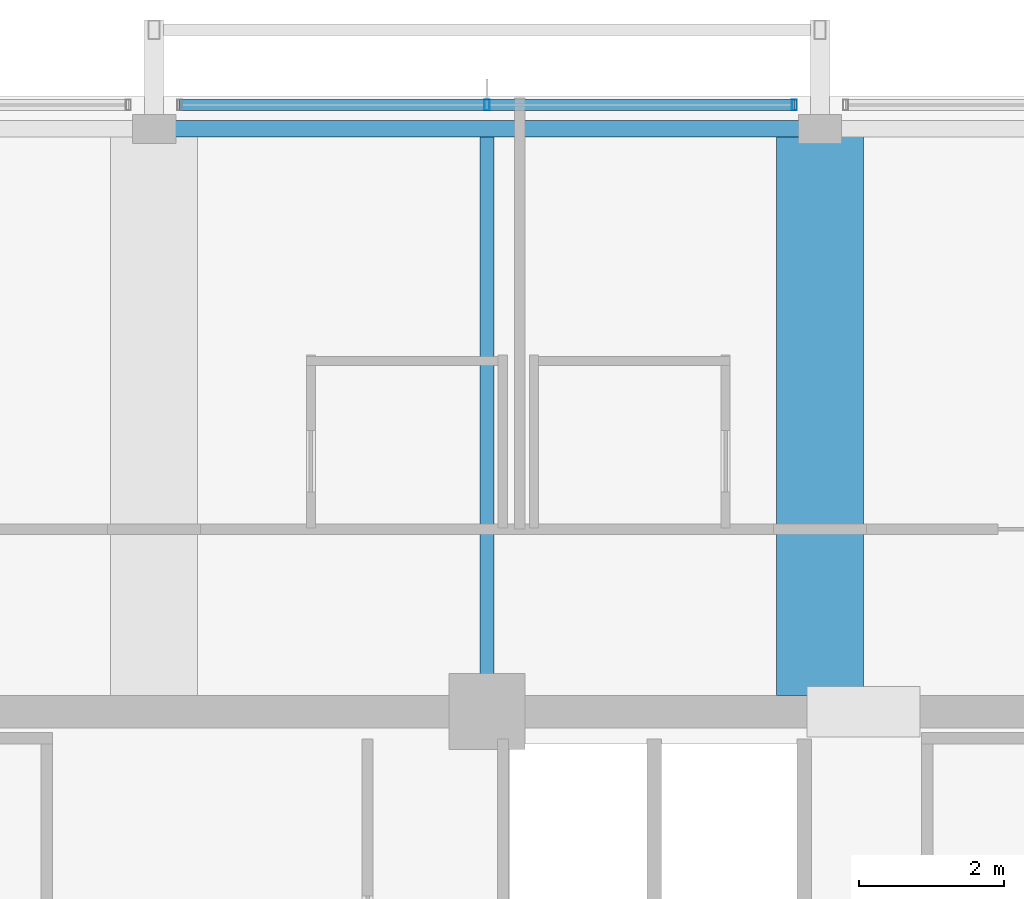
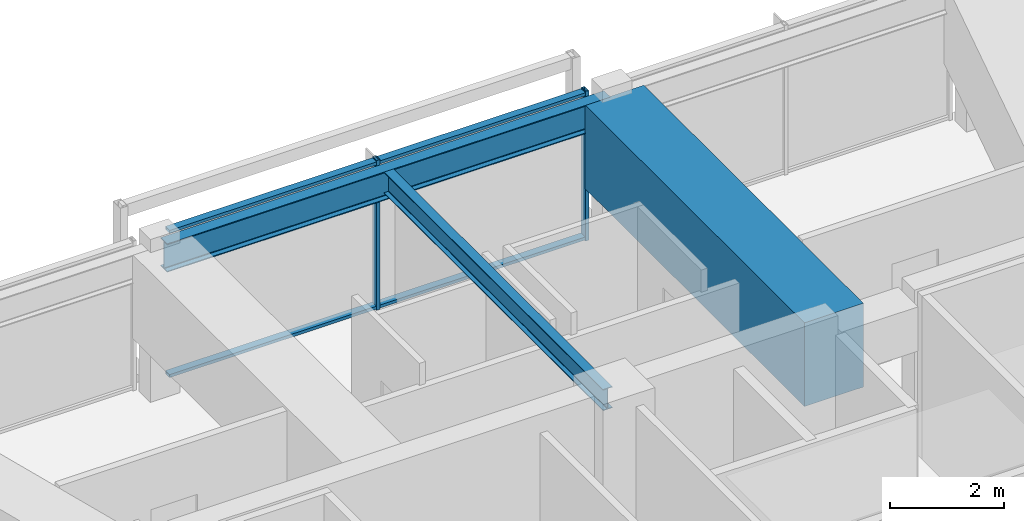
# One storey, part 16 of 30: 4 members, 3 beams, 1 element without a shape of its own.
"""IFC4 building model written with IfcOpenShell, lengths in metres."""

from ifc_helpers import new_model, si_unit, direction, frame, origin, origin_2d, place, context, subcontext, project, spatial, rectangle, hollow_rectangle, i_section, extrude, material, material_profile, profile_set, type_object, element, aggregate, save


model = new_model("IFC4")

# Units and contexts
model_context = context("Model", 3, precision=1e-05, world=origin(), true_north=direction((0.0, 1.0)))
body_context = subcontext(model_context, "Body", "Model", "MODEL_VIEW")
ifc_project = project(units=[si_unit("LENGTHUNIT", "METRE"), si_unit("AREAUNIT", "SQUARE_METRE"), si_unit("VOLUMEUNIT", "CUBIC_METRE"), si_unit("PLANEANGLEUNIT", "RADIAN"), si_unit("MASSUNIT", "GRAM", prefix="KILO")], contexts=[model_context])

# Site, building, storey
site_placement = place(None, origin())
site = spatial("IfcSite", under=ifc_project, at=site_placement, CompositionType="ELEMENT")
building_placement = place(site_placement, origin())
building = spatial("IfcBuilding", under=site, at=building_placement, Name="Kolvaren Belvedere", CompositionType="ELEMENT")
storey_placement = place(building_placement, frame((0.0, 0.0, 254.89990234375)))
storey = spatial("IfcBuildingStorey", under=building, at=storey_placement, Name="L74", CompositionType="ELEMENT", Elevation=254.89990234375)

# Beams
ifc_material_1 = material(Name="Structural steel ASTM A992 Grade 50", Category="steel")
ifc_material_profile_1 = material_profile(ifc_material_1, i_section(OverallWidth=0.19091796875, OverallDepth=0.4599609375, WebThickness=0.010009765625, FlangeThickness=0.01611328125, FilletRadius=0.014892578125, at=origin_2d()), Name="W18X55")
ifc_profile_set_1 = profile_set([ifc_material_profile_1], Name="Structural steel ASTM A992 Grade 50")
beam_type_1 = type_object("IfcBeamType", Name="BM-JOIST-W18X55", PredefinedType="BEAM", material=ifc_profile_set_1)
beam_1_placement = place(storey_placement, frame((0.0, 10.125, 2.989990234375), z_axis=(0.0, 1.0, 0.0), x_axis=(-1.0, 0.0, 0.0)))
element("IfcBeam", 1, at=beam_1_placement, inside=storey, type_object=beam_type_1, Name="L74 North Centre Floor Beam", PredefinedType="BEAM", context=body_context, shape_type="SweptSolid", body=[
    extrude(i_section(OverallWidth=0.19091796875, OverallDepth=0.4599609375, WebThickness=0.010009765625, FlangeThickness=0.01611328125, FilletRadius=0.014892578125, at=origin_2d()), origin(), (0.0, 0.0, 1.0), 7.71044921875),
])
ifc_material_2 = material(Name="Structural steel ASTM A992 Grade 50", Category="steel")
ifc_material_profile_2 = material_profile(ifc_material_2, i_section(OverallWidth=0.22900390625, OverallDepth=0.612060546875, WebThickness=0.011962890625, FlangeThickness=0.01953125, FilletRadius=0.01806640625, at=origin_2d()), Name="W24X84")
ifc_profile_set_2 = profile_set([ifc_material_profile_2], Name="Structural steel ASTM A992 Grade 50")
beam_type_2 = type_object("IfcBeamType", Name="BM-SPAN-W24X84", PredefinedType="SPANDREL", material=ifc_profile_set_2)
beam_2_placement = place(storey_placement, frame((4.510009765625, 17.949951171875, 2.9140625), z_axis=(-1.0, 0.0, 0.0), x_axis=(0.0, -1.0, 0.0)))
element("IfcBeam", 2, at=beam_2_placement, inside=storey, type_object=beam_type_2, Name="L74 Perimeter Spandrel N3-N2", PredefinedType="SPANDREL", context=body_context, shape_type="SweptSolid", body=[
    extrude(i_section(OverallWidth=0.22900390625, OverallDepth=0.612060546875, WebThickness=0.011962890625, FlangeThickness=0.01953125, FilletRadius=0.01806640625, at=origin_2d()), origin(), (0.0, 0.0, 1.0), 9.02001953125),
])
ifc_material_3 = material(Name="Concrete C50/60", Category="concrete")
ifc_material_profile_3 = material_profile(ifc_material_3, rectangle(XDim=1.199951171875, YDim=1.800048828125, at=origin_2d()), Name="RC 1200X1800")
ifc_profile_set_3 = profile_set([ifc_material_profile_3], Name="Concrete C50/60")
beam_type_3 = type_object("IfcBeamType", Name="BM-TG-1800", PredefinedType="BEAM", material=ifc_profile_set_3)
beam_3_placement = place(storey_placement, frame((4.60009765625, 10.125, 2.320068359375), z_axis=(0.0, 1.0, 0.0), x_axis=(-1.0, 0.0, 0.0)))
element("IfcBeam", 3, at=beam_3_placement, inside=storey, type_object=beam_type_3, Name="L74 North Radial Girder P", PredefinedType="BEAM", context=body_context, shape_type="SweptSolid", body=[
    extrude(rectangle(XDim=1.199951171875, YDim=1.800048828125, at=origin_2d()), origin(), (0.0, 0.0, 1.0), 7.735107421875),
])

# Curtain wall, members
ifc_material_4 = material(Name="Anodised pale-metal aluminium AA 6063-T6", Category="aluminium")
curtain_wall_type = type_object("IfcCurtainWallType", Name="CW-Z5-HIGH", PredefinedType="NOTDEFINED", material=ifc_material_4)
curtain_wall_placement = place(storey_placement, origin())
curtain_wall = element("IfcCurtainWall", 4, at=curtain_wall_placement, inside=storey, type_object=curtain_wall_type, Name="L74 Unitised Curtain Wall FCW-L74-N-B2", PredefinedType="NOTDEFINED")
ifc_material_5 = material(Name="Anodised pale-metal aluminium AA 6063-T6", Category="aluminium")
ifc_material_profile_4 = material_profile(ifc_material_5, hollow_rectangle(XDim=0.070068359375, YDim=0.14990234375, WallThickness=0.004150390625, at=origin_2d()), Name="ALU-MUL-150X70")
ifc_profile_set_4 = profile_set([ifc_material_profile_4], Name="Anodised pale-metal aluminium AA 6063-T6")
member_type_1 = type_object("IfcMemberType", Name="CW-MUL-150", PredefinedType="MULLION", material=ifc_profile_set_4)
member_1_placement = place(storey_placement, frame((0.0, 18.280029296875, 0.0), z_axis=(0.0, 0.0, 1.0), x_axis=(1.0, 0.0, 0.0)))
member_1 = element("IfcMember", 5, at=member_1_placement, type_object=member_type_1, Name="FCW-L74-N-B2 Unitised Mullion 2", PredefinedType="MULLION", context=body_context, shape_type="SweptSolid", body=[
    extrude(hollow_rectangle(XDim=0.070068359375, YDim=0.14990234375, WallThickness=0.004150390625, at=origin_2d()), origin(), (0.0, 0.0, 1.0), 3.22021484375),
])
member_2_placement = place(storey_placement, frame((4.2451171875, 18.280029296875, 0.0), z_axis=(0.0, 0.0, 1.0), x_axis=(1.0, 0.0, 0.0)))
member_2 = element("IfcMember", 6, at=member_2_placement, type_object=member_type_1, Name="FCW-L74-N-B2 Unitised Mullion 3", PredefinedType="MULLION", context=body_context, shape_type="SweptSolid", body=[
    extrude(hollow_rectangle(XDim=0.070068359375, YDim=0.14990234375, WallThickness=0.004150390625, at=origin_2d()), origin(), (0.0, 0.0, 1.0), 3.22021484375),
])
ifc_material_6 = material(Name="Anodised pale-metal aluminium AA 6063-T6", Category="aluminium")
ifc_material_profile_5 = material_profile(ifc_material_6, hollow_rectangle(XDim=0.06494140625, YDim=0.14990234375, WallThickness=0.00390625, at=origin_2d()), Name="ALU-TRN-150X65")
ifc_profile_set_5 = profile_set([ifc_material_profile_5], Name="Anodised pale-metal aluminium AA 6063-T6")
member_type_2 = type_object("IfcMemberType", Name="CW-TRN-150", PredefinedType="USERDEFINED", material=ifc_profile_set_5)
member_3_placement = place(storey_placement, frame((-4.2451171875, 18.280029296875, 0.06005859375), z_axis=(1.0, 0.0, 0.0), x_axis=(0.0, 0.0, 1.0)))
member_3 = element("IfcMember", 7, at=member_3_placement, type_object=member_type_2, Name="FCW-L74-N-B2 Sill Transom", ObjectType="TRANSOM", PredefinedType="USERDEFINED", context=body_context, shape_type="SweptSolid", body=[
    extrude(hollow_rectangle(XDim=0.06494140625, YDim=0.14990234375, WallThickness=0.00390625, at=origin_2d()), origin(), (0.0, 0.0, 1.0), 8.490234375),
])
member_4_placement = place(storey_placement, frame((-4.2451171875, 18.280029296875, 3.16015625), z_axis=(1.0, 0.0, 0.0), x_axis=(0.0, 0.0, 1.0)))
member_4 = element("IfcMember", 8, at=member_4_placement, type_object=member_type_2, Name="FCW-L74-N-B2 Head Transom", ObjectType="TRANSOM", PredefinedType="USERDEFINED", context=body_context, shape_type="SweptSolid", body=[
    extrude(hollow_rectangle(XDim=0.06494140625, YDim=0.14990234375, WallThickness=0.00390625, at=origin_2d()), origin(), (0.0, 0.0, 1.0), 8.490234375),
])
aggregate(curtain_wall, [member_1, member_2, member_3, member_4])

save(model, "model.ifc")
